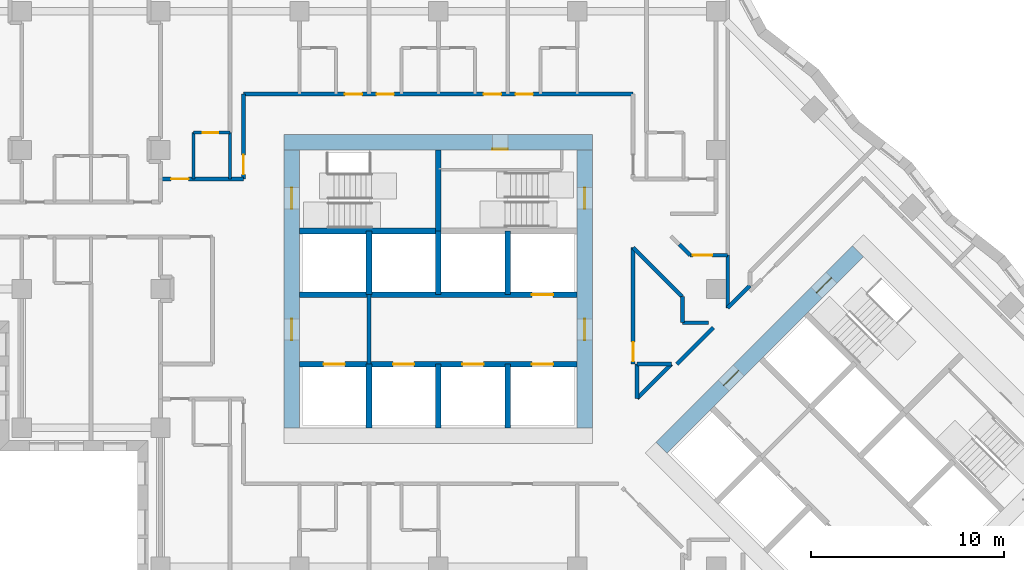
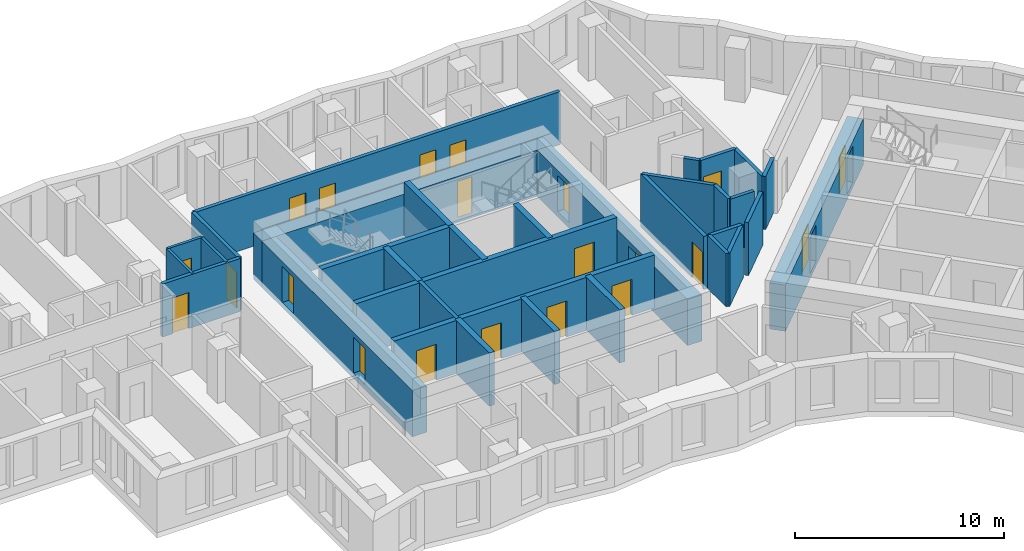
# One storey, part 6 of 13: 33 walls, 21 doors, 21 openings.
"""IFC4 building model written with IfcOpenShell, lengths in metres."""

from ifc_helpers import new_model, si_unit, direction, frame, frame_2d, origin, place, context, subcontext, project, spatial, rectangle, extrude, material, layer, layer_set, type_object, element, fill, save


model = new_model("IFC4")

# Units and contexts
model_context = context("Model", 3, precision=1e-05, world=origin(), true_north=direction((0.0, 1.0)))
body_context = subcontext(model_context, "Body", "Model", "MODEL_VIEW")
ifc_project = project(units=[si_unit("LENGTHUNIT", "METRE"), si_unit("AREAUNIT", "SQUARE_METRE"), si_unit("VOLUMEUNIT", "CUBIC_METRE"), si_unit("PLANEANGLEUNIT", "RADIAN"), si_unit("MASSUNIT", "GRAM", prefix="KILO")], contexts=[model_context])

# Site, building, storey
site_placement = place(None, origin())
site = spatial("IfcSite", under=ifc_project, at=site_placement, CompositionType="ELEMENT")
building_placement = place(site_placement, origin())
building = spatial("IfcBuilding", under=site, at=building_placement, Name="Windrow Commons", CompositionType="ELEMENT")
storey_placement = place(building_placement, frame((0.0, 0.0, 94.8)))
storey = spatial("IfcBuildingStorey", under=building, at=storey_placement, Name="L25", CompositionType="ELEMENT", Elevation=94.8)

# Wall
ifc_material_1 = material(Name="Blockwork partition", Category="masonry")
ifc_layer_1 = layer(ifc_material_1, 0.2)
ifc_layer_set_1 = layer_set([ifc_layer_1], Name="Fire lobby partition 200")
wall_type_1 = type_object("IfcWallType", Name="Fire lobby partition 200", PredefinedType="PARTITIONING", material=ifc_layer_set_1)
wall_1_placement = place(storey_placement, frame((61.2, 53.7, 0.0), z_axis=(0.0, 0.0, 1.0), x_axis=(0.0, 1.0, 0.0)))
element("IfcWall", 1, at=wall_1_placement, inside=storey, type_object=wall_type_1, Name="W-core-lobby-A-L25", PredefinedType="PARTITIONING", context=body_context, shape_type="SweptSolid", body=[
    extrude(rectangle(XDim=3.6, YDim=0.2, at=frame_2d((1.8, 0.0))), origin(), (0.0, 0.0, 1.0), 3.1),
])

# Wall, openings, doors
ifc_material_2 = material(Name="Blockwork partition", Category="masonry")
ifc_layer_2 = layer(ifc_material_2, 0.2)
ifc_layer_set_2 = layer_set([ifc_layer_2], Name="IW-CORRIDOR-200")
wall_type_2 = type_object("IfcWallType", Name="IW-CORRIDOR-200", PredefinedType="PARTITIONING", material=ifc_layer_set_2)
wall_2_placement = place(storey_placement, frame((54.7, 67.7, 0.0), z_axis=(0.0, 0.0, 1.0), x_axis=(1.0, 0.0, 0.0)))
wall_2 = element("IfcWall", 2, at=wall_2_placement, inside=storey, type_object=wall_type_2, Name="W-L25-W001", PredefinedType="PARTITIONING", context=body_context, shape_type="SweptSolid", body=[
    extrude(rectangle(XDim=20.2, YDim=0.2, at=frame_2d((10.1, 0.0))), origin(), (0.0, 0.0, 1.0), 3.1),
])
opening_1_placement = place(wall_2_placement, frame((5.25, 0.0, 0.0)))
opening_1 = element("IfcOpeningElement", 3, at=opening_1_placement, cuts=wall_2, Name="Opening D109S", PredefinedType="OPENING", context=body_context, shape_type="SweptSolid", body=[
    extrude(rectangle(XDim=0.9, YDim=2.1, at=frame_2d((0.45, 1.05))), frame((0.0, 0.11, 0.0), z_axis=(0.0, -1.0, 0.0), x_axis=(1.0, 0.0, 0.0)), (0.0, 0.0, 1.0), 0.22),
])
opening_2_placement = place(wall_2_placement, frame((6.9, 0.0, 0.0)))
opening_2 = element("IfcOpeningElement", 4, at=opening_2_placement, cuts=wall_2, Name="Opening D109S", PredefinedType="OPENING", context=body_context, shape_type="SweptSolid", body=[
    extrude(rectangle(XDim=0.9, YDim=2.1, at=frame_2d((0.45, 1.05))), frame((0.0, 0.11, 0.0), z_axis=(0.0, -1.0, 0.0), x_axis=(1.0, 0.0, 0.0)), (0.0, 0.0, 1.0), 0.22),
])
opening_3_placement = place(wall_2_placement, frame((12.45, 0.0, 0.0)))
opening_3 = element("IfcOpeningElement", 5, at=opening_3_placement, cuts=wall_2, Name="Opening D109S", PredefinedType="OPENING", context=body_context, shape_type="SweptSolid", body=[
    extrude(rectangle(XDim=0.9, YDim=2.1, at=frame_2d((0.45, 1.05))), frame((0.0, 0.11, 0.0), z_axis=(0.0, -1.0, 0.0), x_axis=(1.0, 0.0, 0.0)), (0.0, 0.0, 1.0), 0.22),
])
opening_4_placement = place(wall_2_placement, frame((14.1, 0.0, 0.0)))
opening_4 = element("IfcOpeningElement", 6, at=opening_4_placement, cuts=wall_2, Name="Opening D109S", PredefinedType="OPENING", context=body_context, shape_type="SweptSolid", body=[
    extrude(rectangle(XDim=0.9, YDim=2.1, at=frame_2d((0.45, 1.05))), frame((0.0, 0.11, 0.0), z_axis=(0.0, -1.0, 0.0), x_axis=(1.0, 0.0, 0.0)), (0.0, 0.0, 1.0), 0.22),
])
ifc_material_3 = material(Name="Timber door leaf", Category="wood")
door_type_1 = type_object("IfcDoorType", Name="DT-BEDROOM-900", OperationType="SINGLE_SWING_LEFT", PredefinedType="DOOR", material=ifc_material_3)
door_1_placement = place(opening_1_placement, origin())
door_1 = element("IfcDoor", 7, at=door_1_placement, inside=storey, type_object=door_type_1, Name="D-L25-D029", OperationType="SINGLE_SWING_RIGHT", OverallHeight=2.1, OverallWidth=0.9, PredefinedType="DOOR", context=body_context, shape_type="SweptSolid", body=[
    extrude(rectangle(XDim=0.9, YDim=2.1, at=frame_2d((0.45, 1.05))), frame((0.0, 0.025, 0.0), z_axis=(0.0, -1.0, 0.0), x_axis=(1.0, 0.0, 0.0)), (0.0, 0.0, 1.0), 0.05),
])
fill(opening_1, door_1)
door_2_placement = place(opening_2_placement, origin())
door_2 = element("IfcDoor", 8, at=door_2_placement, inside=storey, type_object=door_type_1, Name="D-L25-D031", OperationType="SINGLE_SWING_LEFT", OverallHeight=2.1, OverallWidth=0.9, PredefinedType="DOOR", context=body_context, shape_type="SweptSolid", body=[
    extrude(rectangle(XDim=0.9, YDim=2.1, at=frame_2d((0.45, 1.05))), frame((0.0, 0.025, 0.0), z_axis=(0.0, -1.0, 0.0), x_axis=(1.0, 0.0, 0.0)), (0.0, 0.0, 1.0), 0.05),
])
fill(opening_2, door_2)
door_3_placement = place(opening_3_placement, origin())
door_3 = element("IfcDoor", 9, at=door_3_placement, inside=storey, type_object=door_type_1, Name="D-L25-D033", OperationType="SINGLE_SWING_RIGHT", OverallHeight=2.1, OverallWidth=0.9, PredefinedType="DOOR", context=body_context, shape_type="SweptSolid", body=[
    extrude(rectangle(XDim=0.9, YDim=2.1, at=frame_2d((0.45, 1.05))), frame((0.0, 0.025, 0.0), z_axis=(0.0, -1.0, 0.0), x_axis=(1.0, 0.0, 0.0)), (0.0, 0.0, 1.0), 0.05),
])
fill(opening_3, door_3)
door_4_placement = place(opening_4_placement, origin())
door_4 = element("IfcDoor", 10, at=door_4_placement, inside=storey, type_object=door_type_1, Name="D-L25-D035", OperationType="SINGLE_SWING_LEFT", OverallHeight=2.1, OverallWidth=0.9, PredefinedType="DOOR", context=body_context, shape_type="SweptSolid", body=[
    extrude(rectangle(XDim=0.9, YDim=2.1, at=frame_2d((0.45, 1.05))), frame((0.0, 0.025, 0.0), z_axis=(0.0, -1.0, 0.0), x_axis=(1.0, 0.0, 0.0)), (0.0, 0.0, 1.0), 0.05),
])
fill(opening_4, door_4)

# Wall, opening, door
wall_3_placement = place(storey_placement, frame((74.9, 53.7, 0.0), z_axis=(0.0, 0.0, 1.0), x_axis=(0.0, 1.0, 0.0)))
wall_3 = element("IfcWall", 11, at=wall_3_placement, inside=storey, type_object=wall_type_2, Name="W-L25-W032", PredefinedType="PARTITIONING", context=body_context, shape_type="SweptSolid", body=[
    extrude(rectangle(XDim=6.052, YDim=0.2, at=frame_2d((3.026, 0.0))), origin(), (0.0, 0.0, 1.0), 3.1),
])
opening_5_placement = place(wall_3_placement, frame((0.142, 0.0, 0.0)))
opening_5 = element("IfcOpeningElement", 12, at=opening_5_placement, cuts=wall_3, Name="Opening D310F", PredefinedType="OPENING", context=body_context, shape_type="SweptSolid", body=[
    extrude(rectangle(XDim=1.0, YDim=2.1, at=frame_2d((0.5, 1.05))), frame((0.0, 0.11, 0.0), z_axis=(0.0, -1.0, 0.0), x_axis=(1.0, 0.0, 0.0)), (0.0, 0.0, 1.0), 0.22),
])
ifc_material_4 = material(Name="Timber door leaf", Category="wood")
door_type_2 = type_object("IfcDoorType", Name="DT-AMENITY-1000", OperationType="SINGLE_SWING_LEFT", PredefinedType="DOOR", material=ifc_material_4)
door_5_placement = place(opening_5_placement, origin())
door_5 = element("IfcDoor", 13, at=door_5_placement, inside=storey, type_object=door_type_2, Name="D-L25-D000", OperationType="SINGLE_SWING_LEFT", OverallHeight=2.1, OverallWidth=1.0, PredefinedType="DOOR", context=body_context, shape_type="SweptSolid", body=[
    extrude(rectangle(XDim=1.0, YDim=2.1, at=frame_2d((0.5, 1.05))), frame((0.0, 0.025, 0.0), z_axis=(0.0, -1.0, 0.0), x_axis=(1.0, 0.0, 0.0)), (0.0, 0.0, 1.0), 0.05),
])
fill(opening_5, door_5)

wall_4_placement = place(storey_placement, frame((54.7, 63.302, 0.0), z_axis=(0.0, 0.0, 1.0), x_axis=(0.0, 1.0, 0.0)))
wall_4 = element("IfcWall", 14, at=wall_4_placement, inside=storey, type_object=wall_type_2, Name="W-L25-W047", PredefinedType="PARTITIONING", context=body_context, shape_type="SweptSolid", body=[
    extrude(rectangle(XDim=4.398, YDim=0.2, at=frame_2d((2.199, 0.0))), origin(), (0.0, 0.0, 1.0), 3.1),
])
opening_6_placement = place(wall_4_placement, frame((0.2417, 0.0, 0.0)))
opening_6 = element("IfcOpeningElement", 15, at=opening_6_placement, cuts=wall_4, Name="Opening D310F", PredefinedType="OPENING", context=body_context, shape_type="SweptSolid", body=[
    extrude(rectangle(XDim=1.0, YDim=2.1, at=frame_2d((0.5, 1.05))), frame((0.0, 0.11, 0.0), z_axis=(0.0, -1.0, 0.0), x_axis=(1.0, 0.0, 0.0)), (0.0, 0.0, 1.0), 0.22),
])
door_6_placement = place(opening_6_placement, origin())
door_6 = element("IfcDoor", 16, at=door_6_placement, inside=storey, type_object=door_type_2, Name="D-L25-D021", OperationType="SINGLE_SWING_LEFT", OverallHeight=2.1, OverallWidth=1.0, PredefinedType="DOOR", context=body_context, shape_type="SweptSolid", body=[
    extrude(rectangle(XDim=1.0, YDim=2.1, at=frame_2d((0.5, 1.05))), frame((0.0, 0.025, 0.0), z_axis=(0.0, -1.0, 0.0), x_axis=(1.0, 0.0, 0.0)), (0.0, 0.0, 1.0), 0.05),
])
fill(opening_6, door_6)

wall_5_placement = place(storey_placement, frame((50.4, 63.3, 0.0), z_axis=(0.0, 0.0, 1.0), x_axis=(1.0, 0.0, 0.0)))
wall_5 = element("IfcWall", 17, at=wall_5_placement, inside=storey, type_object=wall_type_2, Name="W-L25-W052", PredefinedType="PARTITIONING", context=body_context, shape_type="SweptSolid", body=[
    extrude(rectangle(XDim=4.3, YDim=0.2, at=frame_2d((2.15, 0.0))), origin(), (0.0, 0.0, 1.0), 3.1),
])
opening_7_placement = place(wall_5_placement, frame((0.5517, 0.0, 0.0)))
opening_7 = element("IfcOpeningElement", 18, at=opening_7_placement, cuts=wall_5, Name="Opening D109S", PredefinedType="OPENING", context=body_context, shape_type="SweptSolid", body=[
    extrude(rectangle(XDim=0.9, YDim=2.1, at=frame_2d((0.45, 1.05))), frame((0.0, 0.11, 0.0), z_axis=(0.0, -1.0, 0.0), x_axis=(1.0, 0.0, 0.0)), (0.0, 0.0, 1.0), 0.22),
])
door_7_placement = place(opening_7_placement, origin())
door_7 = element("IfcDoor", 19, at=door_7_placement, inside=storey, type_object=door_type_1, Name="D-L25-D019", OperationType="SINGLE_SWING_RIGHT", OverallHeight=2.1, OverallWidth=0.9, PredefinedType="DOOR", context=body_context, shape_type="SweptSolid", body=[
    extrude(rectangle(XDim=0.9, YDim=2.1, at=frame_2d((0.45, 1.05))), frame((0.0, 0.025, 0.0), z_axis=(0.0, -1.0, 0.0), x_axis=(1.0, 0.0, 0.0)), (0.0, 0.0, 1.0), 0.05),
])
fill(opening_7, door_7)

# Walls
wall_6_placement = place(storey_placement, frame((74.8986, 59.7486, 0.0), z_axis=(0.0, 0.0, 1.0), x_axis=(0.7071067812, -0.7071067812, 0.0)))
element("IfcWall", 20, at=wall_6_placement, inside=storey, type_object=wall_type_2, Name="W-L25-W058", PredefinedType="PARTITIONING", context=body_context, shape_type="SweptSolid", body=[
    extrude(rectangle(XDim=3.6006, YDim=0.2, at=frame_2d((1.8003, 0.0))), origin(), (0.0, 0.0, 1.0), 3.1),
])
wall_7_placement = place(storey_placement, frame((79.8, 56.622, 0.0), z_axis=(0.0, 0.0, 1.0), x_axis=(0.0, 1.0, 0.0)))
element("IfcWall", 21, at=wall_7_placement, inside=storey, type_object=wall_type_2, Name="W-L25-W065", PredefinedType="PARTITIONING", context=body_context, shape_type="SweptSolid", body=[
    extrude(rectangle(XDim=2.728, YDim=0.2, at=frame_2d((1.364, 0.0))), origin(), (0.0, 0.0, 1.0), 3.1),
])
wall_8_placement = place(storey_placement, frame((77.1629, 53.7011, 0.0), z_axis=(0.0, 0.0, 1.0), x_axis=(0.7071067812, 0.7071067812, 0.0)))
element("IfcWall", 22, at=wall_8_placement, inside=storey, type_object=wall_type_2, Name="W-L25-W068", PredefinedType="PARTITIONING", context=body_context, shape_type="SweptSolid", body=[
    extrude(rectangle(XDim=2.6785, YDim=0.2, at=frame_2d((1.3393, 0.0))), origin(), (0.0, 0.0, 1.0), 3.1),
])
wall_9_placement = place(storey_placement, frame((75.1015, 51.9225, 0.0), z_axis=(0.0, 0.0, 1.0), x_axis=(0.7071067812, 0.7071067812, 0.0)))
element("IfcWall", 23, at=wall_9_placement, inside=storey, type_object=wall_type_2, Name="W-L25-W070", PredefinedType="PARTITIONING", context=body_context, shape_type="SweptSolid", body=[
    extrude(rectangle(XDim=2.5145, YDim=0.2, at=frame_2d((1.2572, 0.0))), origin(), (0.0, 0.0, 1.0), 3.1),
])

# Wall, opening, door
wall_10_placement = place(storey_placement, frame((77.854, 59.35, 0.0), z_axis=(0.0, 0.0, 1.0), x_axis=(1.0, 0.0, 0.0)))
wall_10 = element("IfcWall", 24, at=wall_10_placement, inside=storey, type_object=wall_type_2, Name="W-L25-W130", PredefinedType="PARTITIONING", context=body_context, shape_type="SweptSolid", body=[
    extrude(rectangle(XDim=1.946, YDim=0.2, at=frame_2d((0.973, 0.0))), origin(), (0.0, 0.0, 1.0), 3.1),
])
opening_8_placement = place(wall_10_placement, frame((0.1348, 0.0, 0.0)))
opening_8 = element("IfcOpeningElement", 25, at=opening_8_placement, cuts=wall_10, Name="Opening D410F", PredefinedType="OPENING", context=body_context, shape_type="SweptSolid", body=[
    extrude(rectangle(XDim=1.0, YDim=2.1, at=frame_2d((0.5, 1.05))), frame((0.0, 0.11, 0.0), z_axis=(0.0, -1.0, 0.0), x_axis=(1.0, 0.0, 0.0)), (0.0, 0.0, 1.0), 0.22),
])
ifc_material_5 = material(Name="Timber door leaf", Category="wood")
door_type_3 = type_object("IfcDoorType", Name="DT-SERVICE-1000", OperationType="SINGLE_SWING_LEFT", PredefinedType="DOOR", material=ifc_material_5)
door_8_placement = place(opening_8_placement, origin())
door_8 = element("IfcDoor", 26, at=door_8_placement, inside=storey, type_object=door_type_3, Name="D-L25-D043", OperationType="SINGLE_SWING_LEFT", OverallHeight=2.1, OverallWidth=1.0, PredefinedType="DOOR", context=body_context, shape_type="SweptSolid", body=[
    extrude(rectangle(XDim=1.0, YDim=2.1, at=frame_2d((0.5, 1.05))), frame((0.0, 0.025, 0.0), z_axis=(0.0, -1.0, 0.0), x_axis=(1.0, 0.0, 0.0)), (0.0, 0.0, 1.0), 0.05),
])
fill(opening_8, door_8)

# Walls
wall_11_placement = place(storey_placement, frame((75.1, 51.922, 0.0), z_axis=(0.0, 0.0, 1.0), x_axis=(0.0, 1.0, 0.0)))
element("IfcWall", 27, at=wall_11_placement, inside=storey, type_object=wall_type_2, Name="W-L25-W157", PredefinedType="PARTITIONING", context=body_context, shape_type="SweptSolid", body=[
    extrude(rectangle(XDim=1.778, YDim=0.2, at=frame_2d((0.889, 0.0))), origin(), (0.0, 0.0, 1.0), 3.1),
])
wall_12_placement = place(storey_placement, frame((79.8015, 56.6225, 0.0), z_axis=(0.0, 0.0, 1.0), x_axis=(0.7071067812, 0.7071067812, 0.0)))
element("IfcWall", 28, at=wall_12_placement, inside=storey, type_object=wall_type_2, Name="W-L25-W158", PredefinedType="PARTITIONING", context=body_context, shape_type="SweptSolid", body=[
    extrude(rectangle(XDim=1.6235, YDim=0.2, at=frame_2d((0.8117, 0.0))), origin(), (0.0, 0.0, 1.0), 3.1),
])
for number, where, z_axis, x_axis, name in (
    (29, (77.45, 55.852, 0.0), (0.0, 0.0, 1.0), (0.0, 1.0, 0.0), "W-L25-W172"),
    (30, (77.452, 55.85, 0.0), (0.0, 0.0, 1.0), (1.0, 0.0, 0.0), "W-L25-W173"),
):
    element("IfcWall", number, at=place(storey_placement, frame(where, z_axis=z_axis, x_axis=x_axis)), inside=storey, type_object=wall_type_2, Name=name, PredefinedType="PARTITIONING", context=body_context, shape_type="SweptSolid", body=[
        extrude(rectangle(XDim=1.348, YDim=0.2, at=frame_2d((0.674, 0.0))), origin(), (0.0, 0.0, 1.0), 3.1),
    ])
wall_13_placement = place(storey_placement, frame((77.2891, 59.9071, 0.0), z_axis=(0.0, 0.0, 1.0), x_axis=(0.7083796976, -0.7058315692, 0.0)))
element("IfcWall", 31, at=wall_13_placement, inside=storey, type_object=wall_type_2, Name="W-L25-W187", PredefinedType="PARTITIONING", context=body_context, shape_type="SweptSolid", body=[
    extrude(rectangle(XDim=0.7849, YDim=0.2, at=frame_2d((0.3925, 0.0))), origin(), (0.0, 0.0, 1.0), 3.1),
])
ifc_material_6 = material(Name="Blockwork partition", Category="masonry")
ifc_layer_3 = layer(ifc_material_6, 0.15)
ifc_layer_set_3 = layer_set([ifc_layer_3], Name="IW-ENSUITE-150")
wall_type_3 = type_object("IfcWallType", Name="IW-ENSUITE-150", PredefinedType="PARTITIONING", material=ifc_layer_set_3)
for number, where, z_axis, x_axis, name in (
    (32, (52.1, 63.3, 0.0), (0.0, 0.0, 1.0), (0.0, 1.0, 0.0), "W-L25-W073"),
    (33, (54.0, 63.3, 0.0), (0.0, 0.0, 1.0), (0.0, 1.0, 0.0), "W-L25-W074"),
):
    element("IfcWall", number, at=place(storey_placement, frame(where, z_axis=z_axis, x_axis=x_axis)), inside=storey, type_object=wall_type_3, Name=name, PredefinedType="PARTITIONING", context=body_context, shape_type="SweptSolid", body=[
        extrude(rectangle(XDim=2.4, YDim=0.15, at=frame_2d((1.2, 0.0))), origin(), (0.0, 0.0, 1.0), 3.1),
    ])

# Wall, opening, door
wall_14_placement = place(storey_placement, frame((52.1, 65.7, 0.0), z_axis=(0.0, 0.0, 1.0), x_axis=(1.0, 0.0, 0.0)))
wall_14 = element("IfcWall", 34, at=wall_14_placement, inside=storey, type_object=wall_type_3, Name="W-L25-W140", PredefinedType="PARTITIONING", context=body_context, shape_type="SweptSolid", body=[
    extrude(rectangle(XDim=1.9, YDim=0.15, at=frame_2d((0.95, 0.0))), origin(), (0.0, 0.0, 1.0), 3.1),
])
opening_9_placement = place(wall_14_placement, frame((0.4931, 0.0, 0.0)))
opening_9 = element("IfcOpeningElement", 35, at=opening_9_placement, cuts=wall_14, Name="Opening D208N", PredefinedType="OPENING", context=body_context, shape_type="SweptSolid", body=[
    extrude(rectangle(XDim=0.8, YDim=2.1, at=frame_2d((0.4, 1.05))), frame((0.0, 0.085, 0.0), z_axis=(0.0, -1.0, 0.0), x_axis=(1.0, 0.0, 0.0)), (0.0, 0.0, 1.0), 0.17),
])
ifc_material_7 = material(Name="Timber door leaf", Category="wood")
door_type_4 = type_object("IfcDoorType", Name="DT-ENSUITE-800", OperationType="SINGLE_SWING_LEFT", PredefinedType="DOOR", material=ifc_material_7)
door_9_placement = place(opening_9_placement, origin())
door_9 = element("IfcDoor", 36, at=door_9_placement, inside=storey, type_object=door_type_4, Name="D-L25-D020", OperationType="SINGLE_SWING_RIGHT", OverallHeight=2.1, OverallWidth=0.8, PredefinedType="DOOR", context=body_context, shape_type="SweptSolid", body=[
    extrude(rectangle(XDim=0.8, YDim=2.1, at=frame_2d((0.4, 1.05))), frame((0.0, 0.025, 0.0), z_axis=(0.0, -1.0, 0.0), x_axis=(1.0, 0.0, 0.0)), (0.0, 0.0, 1.0), 0.05),
])
fill(opening_9, door_9)

# Wall
ifc_material_8 = material(Name="Blockwork partition", Category="masonry")
ifc_layer_4 = layer(ifc_material_8, 0.2)
ifc_layer_set_4 = layer_set([ifc_layer_4], Name="IW-PARTY-200")
wall_type_4 = type_object("IfcWallType", Name="IW-PARTY-200", PredefinedType="PARTITIONING", material=ifc_layer_set_4)
wall_15_placement = place(storey_placement, frame((75.1, 53.7, 0.0), z_axis=(0.0, 0.0, 1.0), x_axis=(1.0, 0.0, 0.0)))
element("IfcWall", 37, at=wall_15_placement, inside=storey, type_object=wall_type_4, Name="W-L25-W155", PredefinedType="PARTITIONING", context=body_context, shape_type="SweptSolid", body=[
    extrude(rectangle(XDim=1.78, YDim=0.2, at=frame_2d((0.89, 0.0))), origin(), (0.0, 0.0, 1.0), 3.1),
])

# Wall, opening, door
ifc_material_9 = material(Name="Concrete C50/60", Category="concrete")
ifc_layer_5 = layer(ifc_material_9, 0.8)
ifc_layer_set_5 = layer_set([ifc_layer_5], Name="RC CORE WALL 800 C50/60")
wall_type_5 = type_object("IfcWallType", Name="RC CORE WALL 800 C50/60", PredefinedType="SHEAR", material=ifc_layer_set_5)
wall_16_placement = place(storey_placement, frame((56.8, 65.2, -0.3), z_axis=(0.0, 0.0, 1.0), x_axis=(1.0, 0.0, 0.0)))
wall_16 = element("IfcWall", 38, at=wall_16_placement, inside=storey, type_object=wall_type_5, Name="Core A wall outer-N", PredefinedType="SHEAR", context=body_context, shape_type="SweptSolid", body=[
    extrude(rectangle(XDim=16.0, YDim=0.8, at=frame_2d((8.0, 0.0))), origin(), (0.0, 0.0, 1.0), 2.7),
])
opening_10_placement = place(wall_16_placement, frame((10.8, 0.0, 0.3)))
opening_10 = element("IfcOpeningElement", 39, at=opening_10_placement, cuts=wall_16, Name="Opening D9", PredefinedType="OPENING", context=body_context, shape_type="SweptSolid", body=[
    extrude(rectangle(XDim=0.8, YDim=2.1, at=frame_2d((0.4, 1.05))), frame((0.0, 0.41, 0.0), z_axis=(0.0, -1.0, 0.0), x_axis=(1.0, 0.0, 0.0)), (0.0, 0.0, 1.0), 0.82),
])
ifc_material_10 = material(Name="Steel fire door leaf", Category="steel")
door_type_5 = type_object("IfcDoorType", Name="Riser access door 800", OperationType="SINGLE_SWING_LEFT", PredefinedType="DOOR", material=ifc_material_10)
door_10_placement = place(opening_10_placement, origin())
door_10 = element("IfcDoor", 40, at=door_10_placement, inside=storey, type_object=door_type_5, Name="Riser access door", OperationType="SINGLE_SWING_RIGHT", OverallHeight=2.1, OverallWidth=0.8, PredefinedType="DOOR", context=body_context, shape_type="SweptSolid", body=[
    extrude(rectangle(XDim=0.8, YDim=2.1, at=frame_2d((0.4, 1.05))), frame((0.0, -0.34, 0.0), z_axis=(0.0, -1.0, 0.0), x_axis=(1.0, 0.0, 0.0)), (0.0, 0.0, 1.0), 0.05),
])
fill(opening_10, door_10)

# Wall, openings, doors
wall_17_placement = place(storey_placement, frame((57.2, 50.4, -0.3), z_axis=(0.0, 0.0, 1.0), x_axis=(0.0, 1.0, 0.0)))
wall_17 = element("IfcWall", 41, at=wall_17_placement, inside=storey, type_object=wall_type_5, Name="Core A wall outer-W", PredefinedType="SHEAR", context=body_context, shape_type="SweptSolid", body=[
    extrude(rectangle(XDim=14.4, YDim=0.8, at=frame_2d((7.2, 0.0))), origin(), (0.0, 0.0, 1.0), 2.7),
])
opening_11_placement = place(wall_17_placement, frame((4.55, 0.0, 0.3)))
opening_11 = element("IfcOpeningElement", 42, at=opening_11_placement, cuts=wall_17, Name="Opening D6", PredefinedType="OPENING", context=body_context, shape_type="SweptSolid", body=[
    extrude(rectangle(XDim=1.1, YDim=2.1, at=frame_2d((0.55, 1.05))), frame((0.0, 0.41, 0.0), z_axis=(0.0, -1.0, 0.0), x_axis=(1.0, 0.0, 0.0)), (0.0, 0.0, 1.0), 0.82),
])
opening_12_placement = place(wall_17_placement, frame((11.35, 0.0, 0.3)))
opening_12 = element("IfcOpeningElement", 43, at=opening_12_placement, cuts=wall_17, Name="Opening D7", PredefinedType="OPENING", context=body_context, shape_type="SweptSolid", body=[
    extrude(rectangle(XDim=1.1, YDim=2.1, at=frame_2d((0.55, 1.05))), frame((0.0, 0.41, 0.0), z_axis=(0.0, -1.0, 0.0), x_axis=(1.0, 0.0, 0.0)), (0.0, 0.0, 1.0), 0.82),
])
ifc_material_11 = material(Name="Steel fire door leaf", Category="steel")
door_type_6 = type_object("IfcDoorType", Name="Core lobby door 1100", OperationType="SINGLE_SWING_LEFT", PredefinedType="DOOR", material=ifc_material_11)
door_11_placement = place(opening_11_placement, origin())
door_11 = element("IfcDoor", 44, at=door_11_placement, inside=storey, type_object=door_type_6, Name="Lift lobby door", OperationType="DOUBLE_DOOR_SINGLE_SWING", OverallHeight=2.1, OverallWidth=1.1, PredefinedType="DOOR", context=body_context, shape_type="SweptSolid", body=[
    extrude(rectangle(XDim=1.1, YDim=2.1, at=frame_2d((0.55, 1.05))), frame((0.0, 0.025, 0.0), z_axis=(0.0, -1.0, 0.0), x_axis=(1.0, 0.0, 0.0)), (0.0, 0.0, 1.0), 0.05),
])
fill(opening_11, door_11)
ifc_material_12 = material(Name="Steel fire door leaf", Category="steel")
door_type_7 = type_object("IfcDoorType", Name="Stair door 1100", OperationType="SINGLE_SWING_LEFT", PredefinedType="DOOR", material=ifc_material_12)
door_12_placement = place(opening_12_placement, origin())
door_12 = element("IfcDoor", 45, at=door_12_placement, inside=storey, type_object=door_type_7, Name="Stair door", OperationType="SINGLE_SWING_LEFT", OverallHeight=2.1, OverallWidth=1.1, PredefinedType="DOOR", context=body_context, shape_type="SweptSolid", body=[
    extrude(rectangle(XDim=1.1, YDim=2.1, at=frame_2d((0.55, 1.05))), frame((0.0, 0.025, 0.0), z_axis=(0.0, -1.0, 0.0), x_axis=(1.0, 0.0, 0.0)), (0.0, 0.0, 1.0), 0.05),
])
fill(opening_12, door_12)

wall_18_placement = place(storey_placement, frame((72.4, 50.4, -0.3), z_axis=(0.0, 0.0, 1.0), x_axis=(0.0, 1.0, 0.0)))
wall_18 = element("IfcWall", 46, at=wall_18_placement, inside=storey, type_object=wall_type_5, Name="Core A wall outer-E", PredefinedType="SHEAR", context=body_context, shape_type="SweptSolid", body=[
    extrude(rectangle(XDim=14.4, YDim=0.8, at=frame_2d((7.2, 0.0))), origin(), (0.0, 0.0, 1.0), 2.7),
])
opening_13_placement = place(wall_18_placement, frame((4.55, 0.0, 0.3)))
opening_13 = element("IfcOpeningElement", 47, at=opening_13_placement, cuts=wall_18, Name="Opening D6", PredefinedType="OPENING", context=body_context, shape_type="SweptSolid", body=[
    extrude(rectangle(XDim=1.1, YDim=2.1, at=frame_2d((0.55, 1.05))), frame((0.0, 0.41, 0.0), z_axis=(0.0, -1.0, 0.0), x_axis=(1.0, 0.0, 0.0)), (0.0, 0.0, 1.0), 0.82),
])
opening_14_placement = place(wall_18_placement, frame((11.35, 0.0, 0.3)))
opening_14 = element("IfcOpeningElement", 48, at=opening_14_placement, cuts=wall_18, Name="Opening D7", PredefinedType="OPENING", context=body_context, shape_type="SweptSolid", body=[
    extrude(rectangle(XDim=1.1, YDim=2.1, at=frame_2d((0.55, 1.05))), frame((0.0, 0.41, 0.0), z_axis=(0.0, -1.0, 0.0), x_axis=(1.0, 0.0, 0.0)), (0.0, 0.0, 1.0), 0.82),
])
door_13_placement = place(opening_13_placement, origin())
door_13 = element("IfcDoor", 49, at=door_13_placement, inside=storey, type_object=door_type_6, Name="Lift lobby door", OperationType="DOUBLE_DOOR_SINGLE_SWING", OverallHeight=2.1, OverallWidth=1.1, PredefinedType="DOOR", context=body_context, shape_type="SweptSolid", body=[
    extrude(rectangle(XDim=1.1, YDim=2.1, at=frame_2d((0.55, 1.05))), frame((0.0, 0.025, 0.0), z_axis=(0.0, -1.0, 0.0), x_axis=(1.0, 0.0, 0.0)), (0.0, 0.0, 1.0), 0.05),
])
fill(opening_13, door_13)
door_14_placement = place(opening_14_placement, origin())
door_14 = element("IfcDoor", 50, at=door_14_placement, inside=storey, type_object=door_type_7, Name="Stair door", OperationType="SINGLE_SWING_RIGHT", OverallHeight=2.1, OverallWidth=1.1, PredefinedType="DOOR", context=body_context, shape_type="SweptSolid", body=[
    extrude(rectangle(XDim=1.1, YDim=2.1, at=frame_2d((0.55, 1.05))), frame((0.0, 0.025, 0.0), z_axis=(0.0, -1.0, 0.0), x_axis=(1.0, 0.0, 0.0)), (0.0, 0.0, 1.0), 0.05),
])
fill(opening_14, door_14)

wall_19_placement = place(storey_placement, frame((76.3716, 49.3726, -0.3), z_axis=(0.0, 0.0, 1.0), x_axis=(0.7071067812, 0.7071067812, 0.0)))
wall_19 = element("IfcWall", 51, at=wall_19_placement, inside=storey, type_object=wall_type_5, Name="Core B wall outer-W", PredefinedType="SHEAR", context=body_context, shape_type="SweptSolid", body=[
    extrude(rectangle(XDim=14.3999, YDim=0.8, at=frame_2d((7.2, 0.0))), origin(), (0.0, 0.0, 1.0), 2.7),
])
opening_15_placement = place(wall_19_placement, frame((4.55, 0.0, 0.3)))
opening_15 = element("IfcOpeningElement", 52, at=opening_15_placement, cuts=wall_19, Name="Opening D6", PredefinedType="OPENING", context=body_context, shape_type="SweptSolid", body=[
    extrude(rectangle(XDim=1.1, YDim=2.1, at=frame_2d((0.55, 1.05))), frame((0.0, 0.41, 0.0), z_axis=(0.0, -1.0, 0.0), x_axis=(1.0, 0.0, 0.0)), (0.0, 0.0, 1.0), 0.82),
])
opening_16_placement = place(wall_19_placement, frame((11.35, 0.0, 0.3)))
opening_16 = element("IfcOpeningElement", 53, at=opening_16_placement, cuts=wall_19, Name="Opening D7", PredefinedType="OPENING", context=body_context, shape_type="SweptSolid", body=[
    extrude(rectangle(XDim=1.1, YDim=2.1, at=frame_2d((0.55, 1.05))), frame((0.0, 0.41, 0.0), z_axis=(0.0, -1.0, 0.0), x_axis=(1.0, 0.0, 0.0)), (0.0, 0.0, 1.0), 0.82),
])
door_15_placement = place(opening_15_placement, origin())
door_15 = element("IfcDoor", 54, at=door_15_placement, inside=storey, type_object=door_type_6, Name="Lift lobby door", OperationType="DOUBLE_DOOR_SINGLE_SWING", OverallHeight=2.1, OverallWidth=1.1, PredefinedType="DOOR", context=body_context, shape_type="SweptSolid", body=[
    extrude(rectangle(XDim=1.1, YDim=2.1, at=frame_2d((0.55, 1.05))), frame((0.0, 0.025, 0.0), z_axis=(0.0, -1.0, 0.0), x_axis=(1.0, 0.0, 0.0)), (0.0, 0.0, 1.0), 0.05),
])
fill(opening_15, door_15)
door_16_placement = place(opening_16_placement, origin())
door_16 = element("IfcDoor", 55, at=door_16_placement, inside=storey, type_object=door_type_7, Name="Stair door", OperationType="SINGLE_SWING_LEFT", OverallHeight=2.1, OverallWidth=1.1, PredefinedType="DOOR", context=body_context, shape_type="SweptSolid", body=[
    extrude(rectangle(XDim=1.1, YDim=2.1, at=frame_2d((0.55, 1.05))), frame((0.0, 0.025, 0.0), z_axis=(0.0, -1.0, 0.0), x_axis=(1.0, 0.0, 0.0)), (0.0, 0.0, 1.0), 0.05),
])
fill(opening_16, door_16)

# Walls
ifc_material_13 = material(Name="Concrete C50/60", Category="concrete")
ifc_layer_6 = layer(ifc_material_13, 0.3)
ifc_layer_set_6 = layer_set([ifc_layer_6], Name="RC SHAFT WALL 300 C50/60")
wall_type_6 = type_object("IfcWallType", Name="RC SHAFT WALL 300 C50/60", PredefinedType="SOLIDWALL", material=ifc_layer_set_6)
for number, where, z_axis, x_axis, name in (
    (56, (61.2, 50.4, 0.0), (0.0, 0.0, 1.0), (0.0, 1.0, 0.0), "Core A wall shaft-S1"),
    (57, (61.2, 57.3, 0.0), (0.0, 0.0, 1.0), (0.0, 1.0, 0.0), "Core A wall shaft-N1"),
    (58, (64.8, 50.4, 0.0), (0.0, 0.0, 1.0), (0.0, 1.0, 0.0), "Core A wall shaft-S2"),
    (59, (64.8, 57.3, 0.0), (0.0, 0.0, 1.0), (0.0, 1.0, 0.0), "Core A wall shaft-N2"),
    (60, (68.4, 50.4, 0.0), (0.0, 0.0, 1.0), (0.0, 1.0, 0.0), "Core A wall shaft-S3"),
    (61, (68.4, 57.3, 0.0), (0.0, 0.0, 1.0), (0.0, 1.0, 0.0), "Core A wall shaft-N3"),
):
    element("IfcWall", number, at=place(storey_placement, frame(where, z_axis=z_axis, x_axis=x_axis)), inside=storey, type_object=wall_type_6, Name=name, PredefinedType="SOLIDWALL", context=body_context, shape_type="SweptSolid", body=[
        extrude(rectangle(XDim=3.3, YDim=0.3, at=frame_2d((1.65, 0.0))), origin(), (0.0, 0.0, 1.0), 3.1),
    ])

# Wall, openings, doors
wall_20_placement = place(storey_placement, frame((57.6, 53.7, 0.0), z_axis=(0.0, 0.0, 1.0), x_axis=(1.0, 0.0, 0.0)))
wall_20 = element("IfcWall", 62, at=wall_20_placement, inside=storey, type_object=wall_type_6, Name="Core A wall lobby-S", PredefinedType="SOLIDWALL", context=body_context, shape_type="SweptSolid", body=[
    extrude(rectangle(XDim=14.4, YDim=0.3, at=frame_2d((7.2, 0.0))), origin(), (0.0, 0.0, 1.0), 3.1),
])
opening_17_placement = place(wall_20_placement, frame((1.25, 0.0, 0.0)))
opening_17 = element("IfcOpeningElement", 63, at=opening_17_placement, cuts=wall_20, Name="Opening LD", PredefinedType="OPENING", context=body_context, shape_type="SweptSolid", body=[
    extrude(rectangle(XDim=1.1, YDim=2.1, at=frame_2d((0.55, 1.05))), frame((0.0, 0.16, 0.0), z_axis=(0.0, -1.0, 0.0), x_axis=(1.0, 0.0, 0.0)), (0.0, 0.0, 1.0), 0.32),
])
opening_18_placement = place(wall_20_placement, frame((4.85, 0.0, 0.0)))
opening_18 = element("IfcOpeningElement", 64, at=opening_18_placement, cuts=wall_20, Name="Opening LD", PredefinedType="OPENING", context=body_context, shape_type="SweptSolid", body=[
    extrude(rectangle(XDim=1.1, YDim=2.1, at=frame_2d((0.55, 1.05))), frame((0.0, 0.16, 0.0), z_axis=(0.0, -1.0, 0.0), x_axis=(1.0, 0.0, 0.0)), (0.0, 0.0, 1.0), 0.32),
])
opening_19_placement = place(wall_20_placement, frame((8.45, 0.0, 0.0)))
opening_19 = element("IfcOpeningElement", 65, at=opening_19_placement, cuts=wall_20, Name="Opening LD", PredefinedType="OPENING", context=body_context, shape_type="SweptSolid", body=[
    extrude(rectangle(XDim=1.1, YDim=2.1, at=frame_2d((0.55, 1.05))), frame((0.0, 0.16, 0.0), z_axis=(0.0, -1.0, 0.0), x_axis=(1.0, 0.0, 0.0)), (0.0, 0.0, 1.0), 0.32),
])
opening_20_placement = place(wall_20_placement, frame((12.05, 0.0, 0.0)))
opening_20 = element("IfcOpeningElement", 66, at=opening_20_placement, cuts=wall_20, Name="Opening LD", PredefinedType="OPENING", context=body_context, shape_type="SweptSolid", body=[
    extrude(rectangle(XDim=1.1, YDim=2.1, at=frame_2d((0.55, 1.05))), frame((0.0, 0.16, 0.0), z_axis=(0.0, -1.0, 0.0), x_axis=(1.0, 0.0, 0.0)), (0.0, 0.0, 1.0), 0.32),
])
ifc_material_14 = material(Name="Stainless steel door leaf", Category="steel")
door_type_8 = type_object("IfcDoorType", Name="Lift landing door 1100", OperationType="SLIDING_TO_LEFT", PredefinedType="DOOR", material=ifc_material_14)
door_17_placement = place(opening_17_placement, origin())
door_17 = element("IfcDoor", 67, at=door_17_placement, inside=storey, type_object=door_type_8, Name="Lift landing door", OperationType="SLIDING_TO_LEFT", OverallHeight=2.1, OverallWidth=1.1, PredefinedType="DOOR", context=body_context, shape_type="SweptSolid", body=[
    extrude(rectangle(XDim=1.1, YDim=2.1, at=frame_2d((0.55, 1.05))), frame((0.0, 0.025, 0.0), z_axis=(0.0, -1.0, 0.0), x_axis=(1.0, 0.0, 0.0)), (0.0, 0.0, 1.0), 0.05),
])
fill(opening_17, door_17)
door_18_placement = place(opening_18_placement, origin())
door_18 = element("IfcDoor", 68, at=door_18_placement, inside=storey, type_object=door_type_8, Name="Lift landing door", OperationType="SLIDING_TO_RIGHT", OverallHeight=2.1, OverallWidth=1.1, PredefinedType="DOOR", context=body_context, shape_type="SweptSolid", body=[
    extrude(rectangle(XDim=1.1, YDim=2.1, at=frame_2d((0.55, 1.05))), frame((0.0, 0.025, 0.0), z_axis=(0.0, -1.0, 0.0), x_axis=(1.0, 0.0, 0.0)), (0.0, 0.0, 1.0), 0.05),
])
fill(opening_18, door_18)
door_19_placement = place(opening_19_placement, origin())
door_19 = element("IfcDoor", 69, at=door_19_placement, inside=storey, type_object=door_type_8, Name="Lift landing door", OperationType="SLIDING_TO_LEFT", OverallHeight=2.1, OverallWidth=1.1, PredefinedType="DOOR", context=body_context, shape_type="SweptSolid", body=[
    extrude(rectangle(XDim=1.1, YDim=2.1, at=frame_2d((0.55, 1.05))), frame((0.0, 0.025, 0.0), z_axis=(0.0, -1.0, 0.0), x_axis=(1.0, 0.0, 0.0)), (0.0, 0.0, 1.0), 0.05),
])
fill(opening_19, door_19)
door_20_placement = place(opening_20_placement, origin())
door_20 = element("IfcDoor", 70, at=door_20_placement, inside=storey, type_object=door_type_8, Name="Lift landing door", OperationType="SLIDING_TO_RIGHT", OverallHeight=2.1, OverallWidth=1.1, PredefinedType="DOOR", context=body_context, shape_type="SweptSolid", body=[
    extrude(rectangle(XDim=1.1, YDim=2.1, at=frame_2d((0.55, 1.05))), frame((0.0, 0.025, 0.0), z_axis=(0.0, -1.0, 0.0), x_axis=(1.0, 0.0, 0.0)), (0.0, 0.0, 1.0), 0.05),
])
fill(opening_20, door_20)

# Wall, opening, door
wall_21_placement = place(storey_placement, frame((57.6, 57.3, 0.0), z_axis=(0.0, 0.0, 1.0), x_axis=(1.0, 0.0, 0.0)))
wall_21 = element("IfcWall", 71, at=wall_21_placement, inside=storey, type_object=wall_type_6, Name="Core A wall lobby-N", PredefinedType="SOLIDWALL", context=body_context, shape_type="SweptSolid", body=[
    extrude(rectangle(XDim=14.4, YDim=0.3, at=frame_2d((7.2, 0.0))), origin(), (0.0, 0.0, 1.0), 3.1),
])
opening_21_placement = place(wall_21_placement, frame((12.05, 0.0, 0.0)))
opening_21 = element("IfcOpeningElement", 72, at=opening_21_placement, cuts=wall_21, Name="Opening LD", PredefinedType="OPENING", context=body_context, shape_type="SweptSolid", body=[
    extrude(rectangle(XDim=1.1, YDim=2.1, at=frame_2d((0.55, 1.05))), frame((0.0, 0.16, 0.0), z_axis=(0.0, -1.0, 0.0), x_axis=(1.0, 0.0, 0.0)), (0.0, 0.0, 1.0), 0.32),
])
door_21_placement = place(opening_21_placement, origin())
door_21 = element("IfcDoor", 73, at=door_21_placement, inside=storey, type_object=door_type_8, Name="Lift landing door", OperationType="SLIDING_TO_RIGHT", OverallHeight=2.1, OverallWidth=1.1, PredefinedType="DOOR", context=body_context, shape_type="SweptSolid", body=[
    extrude(rectangle(XDim=1.1, YDim=2.1, at=frame_2d((0.55, 1.05))), frame((0.0, 0.025, 0.0), z_axis=(0.0, -1.0, 0.0), x_axis=(1.0, 0.0, 0.0)), (0.0, 0.0, 1.0), 0.05),
])
fill(opening_21, door_21)

# Walls
wall_22_placement = place(storey_placement, frame((57.6, 60.6, 0.0), z_axis=(0.0, 0.0, 1.0), x_axis=(1.0, 0.0, 0.0)))
element("IfcWall", 74, at=wall_22_placement, inside=storey, type_object=wall_type_6, Name="Core A wall stair-S", PredefinedType="SOLIDWALL", context=body_context, shape_type="SweptSolid", body=[
    extrude(rectangle(XDim=7.2, YDim=0.3, at=frame_2d((3.6, 0.0))), origin(), (0.0, 0.0, 1.0), 3.1),
])
wall_23_placement = place(storey_placement, frame((64.8, 60.6, 0.0), z_axis=(0.0, 0.0, 1.0), x_axis=(0.0, 1.0, 0.0)))
element("IfcWall", 75, at=wall_23_placement, inside=storey, type_object=wall_type_6, Name="Core A wall stair-mid", PredefinedType="SOLIDWALL", context=body_context, shape_type="SweptSolid", body=[
    extrude(rectangle(XDim=4.2, YDim=0.3, at=frame_2d((2.1, 0.0))), origin(), (0.0, 0.0, 1.0), 3.1),
])

save(model, "model.ifc")
